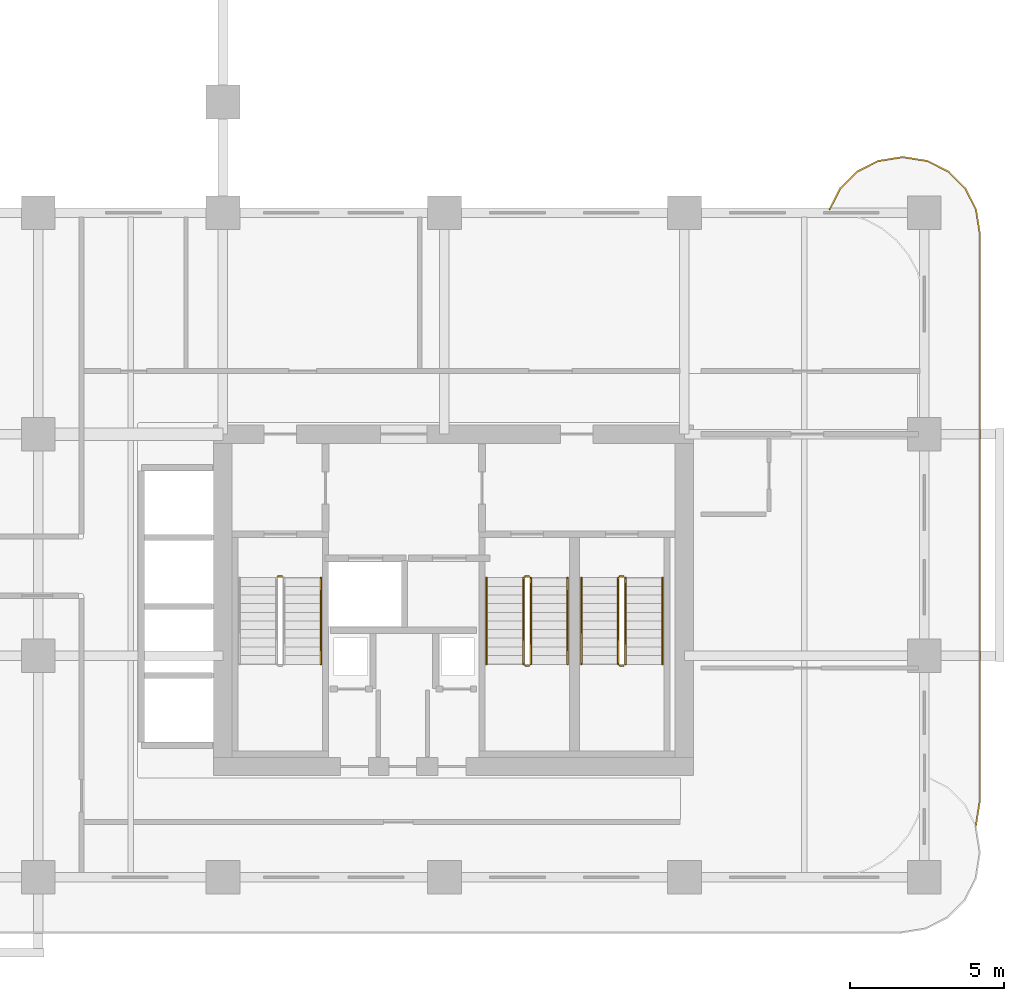
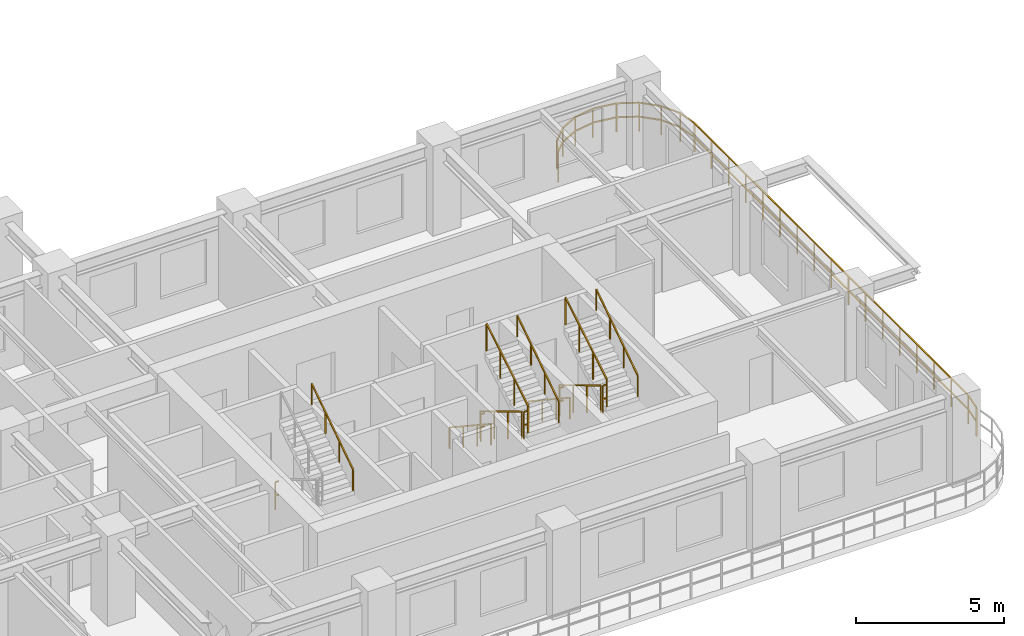
# One storey, part 16 of 18: 15 railings.
"""IFC4 building model written with IfcOpenShell, lengths in metres."""

from ifc_helpers import new_model, si_unit, derived_unit, direction, frame, origin, origin_2d, place, context, subcontext, project, spatial, rectangle, extrude, material, type_object, element, save


model = new_model("IFC4")

# Units and contexts
model_context = context("Model", 3, precision=1e-05, world=origin(), true_north=direction((0.0, 1.0)))
body_context = subcontext(model_context, "Body", "Model", "MODEL_VIEW")
ifc_project = project(units=[si_unit("LENGTHUNIT", "METRE"), si_unit("AREAUNIT", "SQUARE_METRE"), si_unit("VOLUMEUNIT", "CUBIC_METRE"), si_unit("PLANEANGLEUNIT", "RADIAN"), si_unit("MASSUNIT", "GRAM", prefix="KILO"), si_unit("THERMODYNAMICTEMPERATUREUNIT", "KELVIN"), si_unit("POWERUNIT", "WATT"), derived_unit("THERMALTRANSMITTANCEUNIT", [(si_unit("POWERUNIT", "WATT"), 1), (si_unit("AREAUNIT", "SQUARE_METRE"), -1), (si_unit("THERMODYNAMICTEMPERATUREUNIT", "KELVIN"), -1)])], contexts=[model_context])

# Site, building, storey
site_placement = place(None, origin())
site = spatial("IfcSite", under=ifc_project, at=site_placement, CompositionType="ELEMENT")
building_placement = place(site_placement, origin())
building = spatial("IfcBuilding", under=site, at=building_placement, Name="Zahravan Archway Hotel and Residences", CompositionType="ELEMENT")
storey_placement = place(building_placement, frame((0.0, 0.0, 36.10009765625)))
storey = spatial("IfcBuildingStorey", under=building, at=storey_placement, Name="L07", CompositionType="ELEMENT", Elevation=36.10009765625)

# Railings
ifc_material_1 = material(Name="Bronze & Laminated Glass Balustrade", Category="glass")
railing_type_1 = type_object("IfcRailingType", Name="RL-BAL-1200", PredefinedType="BALUSTRADE", material=ifc_material_1)
railing_1_placement = place(storey_placement, frame((54.52001953125, 21.70703125, 0.0)))
element("IfcRailing", 1, at=railing_1_placement, inside=storey, type_object=railing_type_1, Name="L07 Balustrade RL-SLB-BAL-L07-EA-1", PredefinedType="BALUSTRADE", context=body_context, shape_type="SweptSolid", body=[
    extrude(rectangle(XDim=0.048095703125, YDim=0.048095703125, at=origin_2d()), frame((0.0, 0.0, 1.17578125), z_axis=(0.453825591531, 0.891090529897, 0.0), x_axis=(-0.891090529897, 0.453825591531, 0.0)), (0.0, 0.0, 1.0), 0.7666015625),
    extrude(rectangle(XDim=0.048095703125, YDim=0.048095703125, at=origin_2d()), frame((0.0, 0.0, 0.60009765625), z_axis=(0.453825591531, 0.891090529897, 0.0), x_axis=(-0.891090529897, 0.453825591531, 0.0)), (0.0, 0.0, 1.0), 0.7666015625),
    extrude(rectangle(XDim=0.048095703125, YDim=0.048095703125, at=origin_2d()), frame((0.347900390625, 0.68310546875, 1.17578125), z_axis=(0.707106781187, 0.707106781187, 0.0), x_axis=(-0.707106781187, 0.707106781187, 0.0)), (0.0, 0.0, 1.0), 0.7666015625),
    extrude(rectangle(XDim=0.048095703125, YDim=0.048095703125, at=origin_2d()), frame((0.347900390625, 0.68310546875, 0.60009765625), z_axis=(0.707106781187, 0.707106781187, 0.0), x_axis=(-0.707106781187, 0.707106781187, 0.0)), (0.0, 0.0, 1.0), 0.7666015625),
    extrude(rectangle(XDim=0.048095703125, YDim=0.048095703125, at=origin_2d()), frame((0.889892578125, 1.22509765625, 1.17578125), z_axis=(0.891090529897, 0.453825591531, 0.0), x_axis=(-0.453825591531, 0.891090529897, 0.0)), (0.0, 0.0, 1.0), 0.7666015625),
    extrude(rectangle(XDim=0.048095703125, YDim=0.048095703125, at=origin_2d()), frame((0.889892578125, 1.22509765625, 0.60009765625), z_axis=(0.891090529897, 0.453825591531, 0.0), x_axis=(-0.453825591531, 0.891090529897, 0.0)), (0.0, 0.0, 1.0), 0.7666015625),
    extrude(rectangle(XDim=0.048095703125, YDim=0.048095703125, at=origin_2d()), frame((1.572998046875, 1.572998046875, 1.17578125), z_axis=(0.987695728695, 0.156387811283, 0.0), x_axis=(-0.156387811283, 0.987695728695, 0.0)), (0.0, 0.0, 1.0), 0.7666015625),
    extrude(rectangle(XDim=0.048095703125, YDim=0.048095703125, at=origin_2d()), frame((1.572998046875, 1.572998046875, 0.60009765625), z_axis=(0.987695728695, 0.156387811283, 0.0), x_axis=(-0.156387811283, 0.987695728695, 0.0)), (0.0, 0.0, 1.0), 0.7666015625),
    extrude(rectangle(XDim=0.048095703125, YDim=0.048095703125, at=origin_2d()), frame((2.330078125, 1.69287109375, 1.17578125), z_axis=(1.0, 0.0, 0.0), x_axis=(0.0, 1.0, 0.0)), (0.0, 0.0, 1.0), 0.099853515625),
    extrude(rectangle(XDim=0.048095703125, YDim=0.048095703125, at=origin_2d()), frame((2.330078125, 1.69287109375, 0.60009765625), z_axis=(1.0, 0.0, 0.0), x_axis=(0.0, 1.0, 0.0)), (0.0, 0.0, 1.0), 0.099853515625),
    extrude(rectangle(XDim=0.048095703125, YDim=0.048095703125, at=origin_2d()), frame((2.429931640625, 1.69287109375, 1.17578125), z_axis=(0.987695728695, -0.156387811283, 0.0), x_axis=(0.156387811283, 0.987695728695, 0.0)), (0.0, 0.0, 1.0), 0.7666015625),
    extrude(rectangle(XDim=0.048095703125, YDim=0.048095703125, at=origin_2d()), frame((2.429931640625, 1.69287109375, 0.60009765625), z_axis=(0.987695728695, -0.156387811283, 0.0), x_axis=(0.156387811283, 0.987695728695, 0.0)), (0.0, 0.0, 1.0), 0.7666015625),
    extrude(rectangle(XDim=0.048095703125, YDim=0.048095703125, at=origin_2d()), frame((3.18701171875, 1.572998046875, 1.17578125), z_axis=(0.891090529897, -0.453825591531, 0.0), x_axis=(0.453825591531, 0.891090529897, 0.0)), (0.0, 0.0, 1.0), 0.7666015625),
    extrude(rectangle(XDim=0.048095703125, YDim=0.048095703125, at=origin_2d()), frame((3.18701171875, 1.572998046875, 0.60009765625), z_axis=(0.891090529897, -0.453825591531, 0.0), x_axis=(0.453825591531, 0.891090529897, 0.0)), (0.0, 0.0, 1.0), 0.7666015625),
    extrude(rectangle(XDim=0.048095703125, YDim=0.048095703125, at=origin_2d()), frame((3.8701171875, 1.22509765625, 1.17578125), z_axis=(0.707106781187, -0.707106781187, 0.0), x_axis=(0.707106781187, 0.707106781187, 0.0)), (0.0, 0.0, 1.0), 0.7666015625),
    extrude(rectangle(XDim=0.048095703125, YDim=0.048095703125, at=origin_2d()), frame((3.8701171875, 1.22509765625, 0.60009765625), z_axis=(0.707106781187, -0.707106781187, 0.0), x_axis=(0.707106781187, 0.707106781187, 0.0)), (0.0, 0.0, 1.0), 0.7666015625),
    extrude(rectangle(XDim=0.048095703125, YDim=0.048095703125, at=origin_2d()), frame((4.412109375, 0.68310546875, 1.17578125), z_axis=(0.453825591531, -0.891090529897, 0.0), x_axis=(0.891090529897, 0.453825591531, 0.0)), (0.0, 0.0, 1.0), 0.7666015625),
    extrude(rectangle(XDim=0.048095703125, YDim=0.048095703125, at=origin_2d()), frame((4.412109375, 0.68310546875, 0.60009765625), z_axis=(0.453825591531, -0.891090529897, 0.0), x_axis=(0.891090529897, 0.453825591531, 0.0)), (0.0, 0.0, 1.0), 0.7666015625),
    extrude(rectangle(XDim=0.048095703125, YDim=0.048095703125, at=origin_2d()), frame((4.760009765625, 0.0, 1.17578125), z_axis=(0.156387811283, -0.987695728695, 0.0), x_axis=(0.987695728695, 0.156387811283, 0.0)), (0.0, 0.0, 1.0), 0.7666015625),
    extrude(rectangle(XDim=0.048095703125, YDim=0.048095703125, at=origin_2d()), frame((4.760009765625, 0.0, 0.60009765625), z_axis=(0.156387811283, -0.987695728695, 0.0), x_axis=(0.987695728695, 0.156387811283, 0.0)), (0.0, 0.0, 1.0), 0.7666015625),
    extrude(rectangle(XDim=0.048095703125, YDim=0.048095703125, at=origin_2d()), frame((4.8798828125, -0.757080078125, 1.17578125), z_axis=(0.0, -1.0, 0.0), x_axis=(1.0, 0.0, 0.0)), (0.0, 0.0, 1.0), 18.5),
    extrude(rectangle(XDim=0.048095703125, YDim=0.048095703125, at=origin_2d()), frame((4.8798828125, -0.757080078125, 0.60009765625), z_axis=(0.0, -1.0, 0.0), x_axis=(1.0, 0.0, 0.0)), (0.0, 0.0, 1.0), 18.5),
    extrude(rectangle(XDim=0.048095703125, YDim=0.048095703125, at=origin_2d()), frame((4.8798828125, -19.257080078125, 1.17578125), z_axis=(-0.156387811283, -0.987695728695, 0.0), x_axis=(0.987695728695, -0.156387811283, 0.0)), (0.0, 0.0, 1.0), 0.7666015625),
    extrude(rectangle(XDim=0.048095703125, YDim=0.048095703125, at=origin_2d()), frame((4.8798828125, -19.257080078125, 0.60009765625), z_axis=(-0.156387811283, -0.987695728695, 0.0), x_axis=(0.987695728695, -0.156387811283, 0.0)), (0.0, 0.0, 1.0), 0.7666015625),
    extrude(rectangle(XDim=0.0419921875, YDim=0.0419921875, at=origin_2d()), origin(), (0.0, 0.0, 1.0), 1.15185546875),
    extrude(rectangle(XDim=0.0419921875, YDim=0.0419921875, at=origin_2d()), frame((0.347900390625, 0.68310546875, 0.0)), (0.0, 0.0, 1.0), 1.15185546875),
    extrude(rectangle(XDim=0.0419921875, YDim=0.0419921875, at=origin_2d()), frame((0.889892578125, 1.22509765625, 0.0)), (0.0, 0.0, 1.0), 1.15185546875),
    extrude(rectangle(XDim=0.0419921875, YDim=0.0419921875, at=origin_2d()), frame((1.572998046875, 1.572998046875, 0.0)), (0.0, 0.0, 1.0), 1.15185546875),
    extrude(rectangle(XDim=0.0419921875, YDim=0.0419921875, at=origin_2d()), frame((2.330078125, 1.69287109375, 0.0)), (0.0, 0.0, 1.0), 1.15185546875),
    extrude(rectangle(XDim=0.0419921875, YDim=0.0419921875, at=origin_2d()), frame((3.18701171875, 1.572998046875, 0.0)), (0.0, 0.0, 1.0), 1.15185546875),
    extrude(rectangle(XDim=0.0419921875, YDim=0.0419921875, at=origin_2d()), frame((3.8701171875, 1.22509765625, 0.0)), (0.0, 0.0, 1.0), 1.15185546875),
    extrude(rectangle(XDim=0.0419921875, YDim=0.0419921875, at=origin_2d()), frame((4.412109375, 0.68310546875, 0.0)), (0.0, 0.0, 1.0), 1.15185546875),
    extrude(rectangle(XDim=0.0419921875, YDim=0.0419921875, at=origin_2d()), frame((4.760009765625, 0.0, 0.0)), (0.0, 0.0, 1.0), 1.15185546875),
    extrude(rectangle(XDim=0.0419921875, YDim=0.0419921875, at=origin_2d()), frame((4.8798828125, -0.757080078125, 0.0)), (0.0, 0.0, 1.0), 1.15185546875),
    extrude(rectangle(XDim=0.0419921875, YDim=0.0419921875, at=origin_2d()), frame((4.8798828125, -1.913330078125, 0.0)), (0.0, 0.0, 1.0), 1.15185546875),
    extrude(rectangle(XDim=0.0419921875, YDim=0.0419921875, at=origin_2d()), frame((4.8798828125, -3.069580078125, 0.0)), (0.0, 0.0, 1.0), 1.15185546875),
    extrude(rectangle(XDim=0.0419921875, YDim=0.0419921875, at=origin_2d()), frame((4.8798828125, -4.225830078125, 0.0)), (0.0, 0.0, 1.0), 1.15185546875),
    extrude(rectangle(XDim=0.0419921875, YDim=0.0419921875, at=origin_2d()), frame((4.8798828125, -5.382080078125, 0.0)), (0.0, 0.0, 1.0), 1.15185546875),
    extrude(rectangle(XDim=0.0419921875, YDim=0.0419921875, at=origin_2d()), frame((4.8798828125, -6.538330078125, 0.0)), (0.0, 0.0, 1.0), 1.15185546875),
    extrude(rectangle(XDim=0.0419921875, YDim=0.0419921875, at=origin_2d()), frame((4.8798828125, -7.694580078125, 0.0)), (0.0, 0.0, 1.0), 1.15185546875),
    extrude(rectangle(XDim=0.0419921875, YDim=0.0419921875, at=origin_2d()), frame((4.8798828125, -8.850830078125, 0.0)), (0.0, 0.0, 1.0), 1.15185546875),
    extrude(rectangle(XDim=0.0419921875, YDim=0.0419921875, at=origin_2d()), frame((4.8798828125, -10.007080078125, 0.0)), (0.0, 0.0, 1.0), 1.15185546875),
    extrude(rectangle(XDim=0.0419921875, YDim=0.0419921875, at=origin_2d()), frame((4.8798828125, -11.163330078125, 0.0)), (0.0, 0.0, 1.0), 1.15185546875),
    extrude(rectangle(XDim=0.0419921875, YDim=0.0419921875, at=origin_2d()), frame((4.8798828125, -12.319580078125, 0.0)), (0.0, 0.0, 1.0), 1.15185546875),
    extrude(rectangle(XDim=0.0419921875, YDim=0.0419921875, at=origin_2d()), frame((4.8798828125, -13.475830078125, 0.0)), (0.0, 0.0, 1.0), 1.15185546875),
    extrude(rectangle(XDim=0.0419921875, YDim=0.0419921875, at=origin_2d()), frame((4.8798828125, -14.632080078125, 0.0)), (0.0, 0.0, 1.0), 1.15185546875),
    extrude(rectangle(XDim=0.0419921875, YDim=0.0419921875, at=origin_2d()), frame((4.8798828125, -15.788330078125, 0.0)), (0.0, 0.0, 1.0), 1.15185546875),
    extrude(rectangle(XDim=0.0419921875, YDim=0.0419921875, at=origin_2d()), frame((4.8798828125, -16.944580078125, 0.0)), (0.0, 0.0, 1.0), 1.15185546875),
    extrude(rectangle(XDim=0.0419921875, YDim=0.0419921875, at=origin_2d()), frame((4.8798828125, -18.100830078125, 0.0)), (0.0, 0.0, 1.0), 1.15185546875),
    extrude(rectangle(XDim=0.0419921875, YDim=0.0419921875, at=origin_2d()), frame((4.8798828125, -19.257080078125, 0.0)), (0.0, 0.0, 1.0), 1.15185546875),
    extrude(rectangle(XDim=0.0419921875, YDim=0.0419921875, at=origin_2d()), frame((4.760009765625, -20.01416015625, 0.0)), (0.0, 0.0, 1.0), 1.15185546875),
])
ifc_material_2 = material(Name="Painted Tubular Steel", Category="steel")
railing_type_2 = type_object("IfcRailingType", Name="RL-STG-1150", PredefinedType="GUARDRAIL", material=ifc_material_2)
railing_2_placement = place(storey_placement, frame((36.60009765625, 9.780029296875, 0.0)))
element("IfcRailing", 2, at=railing_2_placement, inside=storey, type_object=railing_type_2, Name="L07 ST-A1 stair guard 4", PredefinedType="GUARDRAIL", context=body_context, shape_type="SweptSolid", body=[
    extrude(rectangle(XDim=0.048095703125, YDim=0.048095703125, at=origin_2d()), frame((0.0, 0.0, 1.1259765625), z_axis=(1.0, 0.0, 0.0), x_axis=(0.0, 1.0, 0.0)), (0.0, 0.0, 1.0), 0.139892578125),
    extrude(rectangle(XDim=0.048095703125, YDim=0.048095703125, at=origin_2d()), frame((0.0, 0.0, 0.574951171875), z_axis=(1.0, 0.0, 0.0), x_axis=(0.0, 1.0, 0.0)), (0.0, 0.0, 1.0), 0.139892578125),
    extrude(rectangle(XDim=0.0419921875, YDim=0.0419921875, at=origin_2d()), origin(), (0.0, 0.0, 1.0), 1.101806640625),
])
railing_3_placement = place(storey_placement, frame((44.570068359375, 9.72998046875, 0.16796875)))
element("IfcRailing", 3, at=railing_3_placement, inside=storey, type_object=railing_type_2, Name="L07 ST-A2 stair guard 1", PredefinedType="GUARDRAIL", context=body_context, shape_type="SweptSolid", body=[
    extrude(rectangle(XDim=0.048095703125, YDim=0.048095703125, at=origin_2d()), frame((0.0, 0.0, 1.1259765625), z_axis=(0.0, -0.857242210791, 0.514913383045), x_axis=(1.0, 0.0, 0.0)), (0.0, 0.0, 1.0), 3.266357421875),
    extrude(rectangle(XDim=0.0419921875, YDim=0.0419921875, at=origin_2d()), origin(), (0.0, 0.0, 1.0), 1.101806640625),
    extrude(rectangle(XDim=0.0419921875, YDim=0.0419921875, at=origin_2d()), frame((0.0, -0.933349609375, 0.560546875)), (0.0, 0.0, 1.0), 1.101806640625),
    extrude(rectangle(XDim=0.0419921875, YDim=0.0419921875, at=origin_2d()), frame((0.0, -1.86669921875, 1.121337890625)), (0.0, 0.0, 1.0), 1.101806640625),
    extrude(rectangle(XDim=0.0419921875, YDim=0.0419921875, at=origin_2d()), frame((0.0, -2.800048828125, 1.681884765625)), (0.0, 0.0, 1.0), 1.101806640625),
])
railing_4_placement = place(storey_placement, frame((44.6201171875, 6.8798828125, 1.849853515625)))
element("IfcRailing", 4, at=railing_4_placement, inside=storey, type_object=railing_type_2, Name="L07 ST-A2 stair guard 2", PredefinedType="GUARDRAIL", context=body_context, shape_type="SweptSolid", body=[
    extrude(rectangle(XDim=0.048095703125, YDim=0.048095703125, at=origin_2d()), frame((0.0, 0.0, 1.1259765625), z_axis=(1.0, 0.0, 0.0), x_axis=(0.0, 1.0, 0.0)), (0.0, 0.0, 1.0), 0.139892578125),
    extrude(rectangle(XDim=0.048095703125, YDim=0.048095703125, at=origin_2d()), frame((0.0, 0.0, 0.574951171875), z_axis=(1.0, 0.0, 0.0), x_axis=(0.0, 1.0, 0.0)), (0.0, 0.0, 1.0), 0.139892578125),
    extrude(rectangle(XDim=0.0419921875, YDim=0.0419921875, at=origin_2d()), origin(), (0.0, 0.0, 1.0), 1.101806640625),
])
railing_5_placement = place(storey_placement, frame((44.81005859375, 6.929931640625, 2.01806640625)))
element("IfcRailing", 5, at=railing_5_placement, inside=storey, type_object=railing_type_2, Name="L07 ST-A2 stair guard 3", PredefinedType="GUARDRAIL", context=body_context, shape_type="SweptSolid", body=[
    extrude(rectangle(XDim=0.048095703125, YDim=0.048095703125, at=origin_2d()), frame((0.0, 0.0, 1.1259765625), z_axis=(0.0, 0.857242210791, 0.514913383045), x_axis=(-1.0, 0.0, 0.0)), (0.0, 0.0, 1.0), 3.266357421875),
    extrude(rectangle(XDim=0.0419921875, YDim=0.0419921875, at=origin_2d()), origin(), (0.0, 0.0, 1.0), 1.101806640625),
    extrude(rectangle(XDim=0.0419921875, YDim=0.0419921875, at=origin_2d()), frame((0.0, 0.933349609375, 0.560546875)), (0.0, 0.0, 1.0), 1.101806640625),
    extrude(rectangle(XDim=0.0419921875, YDim=0.0419921875, at=origin_2d()), frame((0.0, 1.86669921875, 1.121337890625)), (0.0, 0.0, 1.0), 1.101806640625),
    extrude(rectangle(XDim=0.0419921875, YDim=0.0419921875, at=origin_2d()), frame((0.0, 2.800048828125, 1.681884765625)), (0.0, 0.0, 1.0), 1.101806640625),
])
railing_6_placement = place(storey_placement, frame((44.6201171875, 9.780029296875, 0.0)))
element("IfcRailing", 6, at=railing_6_placement, inside=storey, type_object=railing_type_2, Name="L07 ST-A2 stair guard 4", PredefinedType="GUARDRAIL", context=body_context, shape_type="SweptSolid", body=[
    extrude(rectangle(XDim=0.048095703125, YDim=0.048095703125, at=origin_2d()), frame((0.0, 0.0, 1.1259765625), z_axis=(1.0, 0.0, 0.0), x_axis=(0.0, 1.0, 0.0)), (0.0, 0.0, 1.0), 0.139892578125),
    extrude(rectangle(XDim=0.048095703125, YDim=0.048095703125, at=origin_2d()), frame((0.0, 0.0, 0.574951171875), z_axis=(1.0, 0.0, 0.0), x_axis=(0.0, 1.0, 0.0)), (0.0, 0.0, 1.0), 0.139892578125),
    extrude(rectangle(XDim=0.0419921875, YDim=0.0419921875, at=origin_2d()), origin(), (0.0, 0.0, 1.0), 1.101806640625),
])
railing_7_placement = place(storey_placement, frame((47.64990234375, 9.72998046875, 0.16796875)))
element("IfcRailing", 7, at=railing_7_placement, inside=storey, type_object=railing_type_2, Name="L07 ST-A3 stair guard 1", PredefinedType="GUARDRAIL", context=body_context, shape_type="SweptSolid", body=[
    extrude(rectangle(XDim=0.048095703125, YDim=0.048095703125, at=origin_2d()), frame((0.0, 0.0, 1.1259765625), z_axis=(0.0, -0.857242210791, 0.514913383045), x_axis=(1.0, 0.0, 0.0)), (0.0, 0.0, 1.0), 3.266357421875),
    extrude(rectangle(XDim=0.0419921875, YDim=0.0419921875, at=origin_2d()), origin(), (0.0, 0.0, 1.0), 1.101806640625),
    extrude(rectangle(XDim=0.0419921875, YDim=0.0419921875, at=origin_2d()), frame((0.0, -0.933349609375, 0.560546875)), (0.0, 0.0, 1.0), 1.101806640625),
    extrude(rectangle(XDim=0.0419921875, YDim=0.0419921875, at=origin_2d()), frame((0.0, -1.86669921875, 1.121337890625)), (0.0, 0.0, 1.0), 1.101806640625),
    extrude(rectangle(XDim=0.0419921875, YDim=0.0419921875, at=origin_2d()), frame((0.0, -2.800048828125, 1.681884765625)), (0.0, 0.0, 1.0), 1.101806640625),
])
railing_8_placement = place(storey_placement, frame((47.699951171875, 6.8798828125, 1.849853515625)))
element("IfcRailing", 8, at=railing_8_placement, inside=storey, type_object=railing_type_2, Name="L07 ST-A3 stair guard 2", PredefinedType="GUARDRAIL", context=body_context, shape_type="SweptSolid", body=[
    extrude(rectangle(XDim=0.048095703125, YDim=0.048095703125, at=origin_2d()), frame((0.0, 0.0, 1.1259765625), z_axis=(1.0, 0.0, 0.0), x_axis=(0.0, 1.0, 0.0)), (0.0, 0.0, 1.0), 0.14013671875),
    extrude(rectangle(XDim=0.048095703125, YDim=0.048095703125, at=origin_2d()), frame((0.0, 0.0, 0.574951171875), z_axis=(1.0, 0.0, 0.0), x_axis=(0.0, 1.0, 0.0)), (0.0, 0.0, 1.0), 0.14013671875),
    extrude(rectangle(XDim=0.0419921875, YDim=0.0419921875, at=origin_2d()), origin(), (0.0, 0.0, 1.0), 1.101806640625),
])
railing_9_placement = place(storey_placement, frame((47.889892578125, 6.929931640625, 2.01806640625)))
element("IfcRailing", 9, at=railing_9_placement, inside=storey, type_object=railing_type_2, Name="L07 ST-A3 stair guard 3", PredefinedType="GUARDRAIL", context=body_context, shape_type="SweptSolid", body=[
    extrude(rectangle(XDim=0.048095703125, YDim=0.048095703125, at=origin_2d()), frame((0.0, 0.0, 1.1259765625), z_axis=(0.0, 0.857242210791, 0.514913383045), x_axis=(-1.0, 0.0, 0.0)), (0.0, 0.0, 1.0), 3.266357421875),
    extrude(rectangle(XDim=0.0419921875, YDim=0.0419921875, at=origin_2d()), origin(), (0.0, 0.0, 1.0), 1.101806640625),
    extrude(rectangle(XDim=0.0419921875, YDim=0.0419921875, at=origin_2d()), frame((0.0, 0.933349609375, 0.560546875)), (0.0, 0.0, 1.0), 1.101806640625),
    extrude(rectangle(XDim=0.0419921875, YDim=0.0419921875, at=origin_2d()), frame((0.0, 1.86669921875, 1.121337890625)), (0.0, 0.0, 1.0), 1.101806640625),
    extrude(rectangle(XDim=0.0419921875, YDim=0.0419921875, at=origin_2d()), frame((0.0, 2.800048828125, 1.681884765625)), (0.0, 0.0, 1.0), 1.101806640625),
])
railing_10_placement = place(storey_placement, frame((47.699951171875, 9.780029296875, 0.0)))
element("IfcRailing", 10, at=railing_10_placement, inside=storey, type_object=railing_type_2, Name="L07 ST-A3 stair guard 4", PredefinedType="GUARDRAIL", context=body_context, shape_type="SweptSolid", body=[
    extrude(rectangle(XDim=0.048095703125, YDim=0.048095703125, at=origin_2d()), frame((0.0, 0.0, 1.1259765625), z_axis=(1.0, 0.0, 0.0), x_axis=(0.0, 1.0, 0.0)), (0.0, 0.0, 1.0), 0.14013671875),
    extrude(rectangle(XDim=0.048095703125, YDim=0.048095703125, at=origin_2d()), frame((0.0, 0.0, 0.574951171875), z_axis=(1.0, 0.0, 0.0), x_axis=(0.0, 1.0, 0.0)), (0.0, 0.0, 1.0), 0.14013671875),
    extrude(rectangle(XDim=0.0419921875, YDim=0.0419921875, at=origin_2d()), origin(), (0.0, 0.0, 1.0), 1.101806640625),
])
ifc_material_3 = material(Name="Brushed Stainless Steel", Category="steel")
railing_type_3 = type_object("IfcRailingType", Name="RL-STH-900", PredefinedType="HANDRAIL", material=ifc_material_3)
railing_11_placement = place(storey_placement, frame((37.989990234375, 6.929931640625, 2.01806640625)))
element("IfcRailing", 11, at=railing_11_placement, inside=storey, type_object=railing_type_3, Name="L07 ST-A1 stair handrail 2", PredefinedType="HANDRAIL", context=body_context, shape_type="SweptSolid", body=[
    extrude(rectangle(XDim=0.048095703125, YDim=0.048095703125, at=origin_2d()), frame((0.0, 0.0, 0.8759765625), z_axis=(0.0, 0.834326358476, 0.551270829586), x_axis=(-1.0, 0.0, 0.0)), (0.0, 0.0, 1.0), 3.35595703125),
    extrude(rectangle(XDim=0.0419921875, YDim=0.0419921875, at=origin_2d()), origin(), (0.0, 0.0, 1.0), 0.851806640625),
    extrude(rectangle(XDim=0.0419921875, YDim=0.0419921875, at=origin_2d()), frame((0.0, 0.933349609375, 0.61669921875)), (0.0, 0.0, 1.0), 0.851806640625),
    extrude(rectangle(XDim=0.0419921875, YDim=0.0419921875, at=origin_2d()), frame((0.0, 1.86669921875, 1.2333984375)), (0.0, 0.0, 1.0), 0.851806640625),
    extrude(rectangle(XDim=0.0419921875, YDim=0.0419921875, at=origin_2d()), frame((0.0, 2.800048828125, 1.85009765625)), (0.0, 0.0, 1.0), 0.851806640625),
])
railing_12_placement = place(storey_placement, frame((43.3701171875, 9.72998046875, 0.16796875)))
element("IfcRailing", 12, at=railing_12_placement, inside=storey, type_object=railing_type_3, Name="L07 ST-A2 stair handrail 1", PredefinedType="HANDRAIL", context=body_context, shape_type="SweptSolid", body=[
    extrude(rectangle(XDim=0.048095703125, YDim=0.048095703125, at=origin_2d()), frame((0.0, 0.0, 0.8759765625), z_axis=(0.0, -0.834326358476, 0.551270829586), x_axis=(1.0, 0.0, 0.0)), (0.0, 0.0, 1.0), 3.35595703125),
    extrude(rectangle(XDim=0.0419921875, YDim=0.0419921875, at=origin_2d()), origin(), (0.0, 0.0, 1.0), 0.851806640625),
    extrude(rectangle(XDim=0.0419921875, YDim=0.0419921875, at=origin_2d()), frame((0.0, -0.933349609375, 0.61669921875)), (0.0, 0.0, 1.0), 0.851806640625),
    extrude(rectangle(XDim=0.0419921875, YDim=0.0419921875, at=origin_2d()), frame((0.0, -1.86669921875, 1.2333984375)), (0.0, 0.0, 1.0), 0.851806640625),
    extrude(rectangle(XDim=0.0419921875, YDim=0.0419921875, at=origin_2d()), frame((0.0, -2.800048828125, 1.85009765625)), (0.0, 0.0, 1.0), 0.851806640625),
])
railing_13_placement = place(storey_placement, frame((46.010009765625, 6.929931640625, 2.01806640625)))
element("IfcRailing", 13, at=railing_13_placement, inside=storey, type_object=railing_type_3, Name="L07 ST-A2 stair handrail 2", PredefinedType="HANDRAIL", context=body_context, shape_type="SweptSolid", body=[
    extrude(rectangle(XDim=0.048095703125, YDim=0.048095703125, at=origin_2d()), frame((0.0, 0.0, 0.8759765625), z_axis=(0.0, 0.834326358476, 0.551270829586), x_axis=(-1.0, 0.0, 0.0)), (0.0, 0.0, 1.0), 3.35595703125),
    extrude(rectangle(XDim=0.0419921875, YDim=0.0419921875, at=origin_2d()), origin(), (0.0, 0.0, 1.0), 0.851806640625),
    extrude(rectangle(XDim=0.0419921875, YDim=0.0419921875, at=origin_2d()), frame((0.0, 0.933349609375, 0.61669921875)), (0.0, 0.0, 1.0), 0.851806640625),
    extrude(rectangle(XDim=0.0419921875, YDim=0.0419921875, at=origin_2d()), frame((0.0, 1.86669921875, 1.2333984375)), (0.0, 0.0, 1.0), 0.851806640625),
    extrude(rectangle(XDim=0.0419921875, YDim=0.0419921875, at=origin_2d()), frame((0.0, 2.800048828125, 1.85009765625)), (0.0, 0.0, 1.0), 0.851806640625),
])
railing_14_placement = place(storey_placement, frame((46.449951171875, 9.72998046875, 0.16796875)))
element("IfcRailing", 14, at=railing_14_placement, inside=storey, type_object=railing_type_3, Name="L07 ST-A3 stair handrail 1", PredefinedType="HANDRAIL", context=body_context, shape_type="SweptSolid", body=[
    extrude(rectangle(XDim=0.048095703125, YDim=0.048095703125, at=origin_2d()), frame((0.0, 0.0, 0.8759765625), z_axis=(0.0, -0.834326358476, 0.551270829586), x_axis=(1.0, 0.0, 0.0)), (0.0, 0.0, 1.0), 3.35595703125),
    extrude(rectangle(XDim=0.0419921875, YDim=0.0419921875, at=origin_2d()), origin(), (0.0, 0.0, 1.0), 0.851806640625),
    extrude(rectangle(XDim=0.0419921875, YDim=0.0419921875, at=origin_2d()), frame((0.0, -0.933349609375, 0.61669921875)), (0.0, 0.0, 1.0), 0.851806640625),
    extrude(rectangle(XDim=0.0419921875, YDim=0.0419921875, at=origin_2d()), frame((0.0, -1.86669921875, 1.2333984375)), (0.0, 0.0, 1.0), 0.851806640625),
    extrude(rectangle(XDim=0.0419921875, YDim=0.0419921875, at=origin_2d()), frame((0.0, -2.800048828125, 1.85009765625)), (0.0, 0.0, 1.0), 0.851806640625),
])
railing_15_placement = place(storey_placement, frame((49.090087890625, 6.929931640625, 2.01806640625)))
element("IfcRailing", 15, at=railing_15_placement, inside=storey, type_object=railing_type_3, Name="L07 ST-A3 stair handrail 2", PredefinedType="HANDRAIL", context=body_context, shape_type="SweptSolid", body=[
    extrude(rectangle(XDim=0.048095703125, YDim=0.048095703125, at=origin_2d()), frame((0.0, 0.0, 0.8759765625), z_axis=(0.0, 0.834326358476, 0.551270829586), x_axis=(-1.0, 0.0, 0.0)), (0.0, 0.0, 1.0), 3.35595703125),
    extrude(rectangle(XDim=0.0419921875, YDim=0.0419921875, at=origin_2d()), origin(), (0.0, 0.0, 1.0), 0.851806640625),
    extrude(rectangle(XDim=0.0419921875, YDim=0.0419921875, at=origin_2d()), frame((0.0, 0.933349609375, 0.61669921875)), (0.0, 0.0, 1.0), 0.851806640625),
    extrude(rectangle(XDim=0.0419921875, YDim=0.0419921875, at=origin_2d()), frame((0.0, 1.86669921875, 1.2333984375)), (0.0, 0.0, 1.0), 0.851806640625),
    extrude(rectangle(XDim=0.0419921875, YDim=0.0419921875, at=origin_2d()), frame((0.0, 2.800048828125, 1.85009765625)), (0.0, 0.0, 1.0), 0.851806640625),
])

save(model, "model.ifc")
